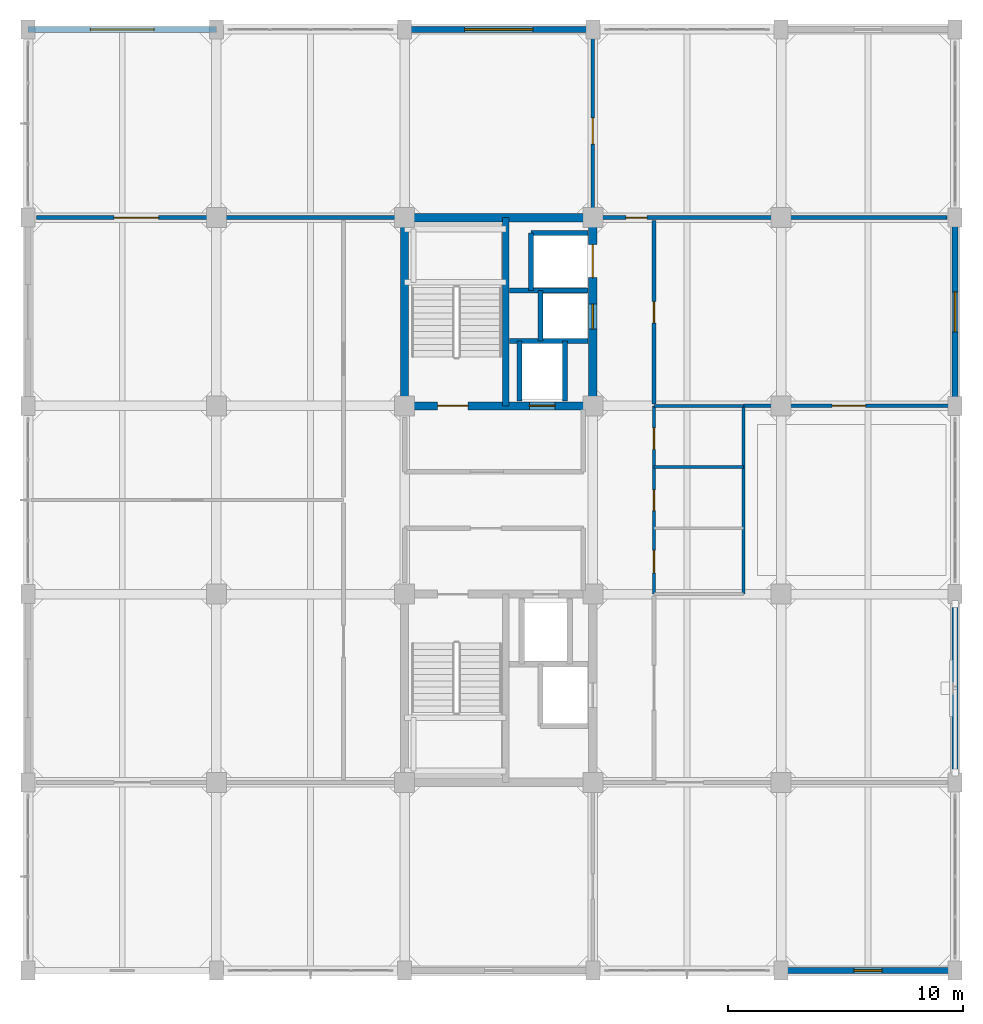
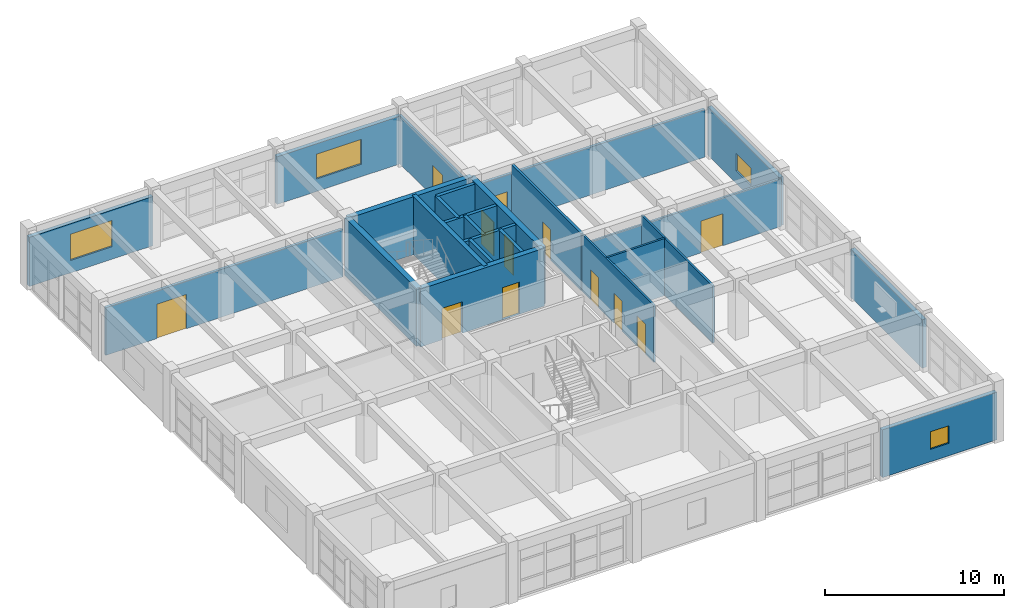
# One storey, part 22 of 27: 26 walls, 12 doors, 4 windows, 16 openings.
"""IFC4 building model written with IfcOpenShell, lengths in metres."""

from ifc_helpers import new_model, si_unit, direction, frame, frame_2d, origin, place, context, subcontext, project, spatial, rectangle, extrude, material, layer, layer_set, type_object, element, fill, save


model = new_model("IFC4")

# Units and contexts
model_context = context("Model", 3, precision=1e-05, world=origin(), true_north=direction((0.0, 1.0)))
body_context = subcontext(model_context, "Body", "Model", "MODEL_VIEW")
ifc_project = project(units=[si_unit("LENGTHUNIT", "METRE"), si_unit("AREAUNIT", "SQUARE_METRE"), si_unit("VOLUMEUNIT", "CUBIC_METRE"), si_unit("PLANEANGLEUNIT", "RADIAN"), si_unit("MASSUNIT", "GRAM", prefix="KILO")], contexts=[model_context])

# Site, building, storey
site_placement = place(None, origin())
site = spatial("IfcSite", under=ifc_project, at=site_placement, CompositionType="ELEMENT")
building_placement = place(site_placement, origin())
building = spatial("IfcBuilding", under=site, at=building_placement, Name="Canggui Botanical Conservatory", CompositionType="ELEMENT")
storey_placement = place(building_placement, frame((0.0, 0.0, 31.800048828125)))
storey = spatial("IfcBuildingStorey", under=building, at=storey_placement, Name="L08", CompositionType="ELEMENT", Elevation=31.800048828125)

# Wall, opening, window
ifc_material_1 = material(Name="Precast Concrete C40", Category="concrete")
ifc_layer_1 = layer(ifc_material_1, 0.260009765625, Name="Precast Concrete C40", Category="concrete")
ifc_layer_set_1 = layer_set([ifc_layer_1], Name="Precast Concrete C40")
wall_type_1 = type_object("IfcWallType", Name="EW-260", PredefinedType="STANDARD", material=ifc_layer_set_1)
wall_1_placement = place(storey_placement, frame((177.39990234375, 34.0, 0.0), z_axis=(0.0, 0.0, 1.0), x_axis=(-1.0, 0.0, 0.0)))
wall_1 = element("IfcWall", 1, at=wall_1_placement, inside=storey, type_object=wall_type_1, Name="Tower Insulated Exterior Wall L08-S1", PredefinedType="STANDARD", context=body_context, shape_type="SweptSolid", body=[
    extrude(rectangle(XDim=7.39990234375, YDim=0.260009765625, at=frame_2d((3.699951171875, 0.0))), origin(), (0.0, 0.0, 1.0), 3.260009765625),
])
opening_1_placement = place(wall_1_placement, frame((3.10009765625, 0.0, 0.85009765625)))
opening_1 = element("IfcOpeningElement", 2, at=opening_1_placement, cuts=wall_1, Name="Opening W-06", PredefinedType="OPENING", context=body_context, shape_type="SweptSolid", body=[
    extrude(rectangle(XDim=1.199951171875, YDim=1.199951171875, at=frame_2d((0.60009765625, 0.60009765625))), frame((0.0, 0.14013671875, 0.0), z_axis=(0.0, -1.0, 0.0), x_axis=(1.0, 0.0, 0.0)), (0.0, 0.0, 1.0), 0.280029296875),
])
ifc_material_2 = material(Name="Low-E Insulated Glass", Category="glass")
window_type_1 = type_object("IfcWindowType", Name="WIN-06", PartitioningType="SINGLE_PANEL", PredefinedType="WINDOW", material=ifc_material_2)
window_1_placement = place(opening_1_placement, origin())
window_1 = element("IfcWindow", 3, at=window_1_placement, inside=storey, type_object=window_type_1, Name="Tower Firefighter Rescue Window L08-1", OverallHeight=1.199951171875, OverallWidth=1.199951171875, PartitioningType="SINGLE_PANEL", PredefinedType="WINDOW", context=body_context, shape_type="SweptSolid", body=[
    extrude(rectangle(XDim=1.199951171875, YDim=1.199951171875, at=frame_2d((0.60009765625, 0.60009765625))), frame((0.0, 0.030029296875, 0.0), z_axis=(0.0, -1.0, 0.0), x_axis=(1.0, 0.0, 0.0)), (0.0, 0.0, 1.0), 0.06005859375),
])
fill(opening_1, window_1)

wall_2_placement = place(storey_placement, frame((138.0, 74.0, 0.0), z_axis=(0.0, 0.0, 1.0), x_axis=(1.0, 0.0, 0.0)))
wall_2 = element("IfcWall", 4, at=wall_2_placement, inside=storey, type_object=wall_type_1, Name="Tower Insulated Exterior Wall L08-N11", PredefinedType="STANDARD", context=body_context, shape_type="SweptSolid", body=[
    extrude(rectangle(XDim=8.0, YDim=0.260009765625, at=frame_2d((4.0, 0.0))), origin(), (0.0, 0.0, 1.0), 3.35986328125),
])
opening_2_placement = place(wall_2_placement, frame((2.64990234375, 0.0, 0.85009765625)))
opening_2 = element("IfcOpeningElement", 5, at=opening_2_placement, cuts=wall_2, Name="Opening W-20", PredefinedType="OPENING", context=body_context, shape_type="SweptSolid", body=[
    extrude(rectangle(XDim=2.699951171875, YDim=1.800048828125, at=frame_2d((1.35009765625, 0.89990234375))), frame((0.0, 0.14013671875, 0.0), z_axis=(0.0, -1.0, 0.0), x_axis=(1.0, 0.0, 0.0)), (0.0, 0.0, 1.0), 0.280029296875),
])
window_type_2 = type_object("IfcWindowType", Name="WIN-20", PartitioningType="TRIPLE_PANEL_VERTICAL", PredefinedType="WINDOW", material=ifc_material_2)
window_2_placement = place(opening_2_placement, origin())
window_2 = element("IfcWindow", 6, at=window_2_placement, inside=storey, type_object=window_type_2, Name="Tower Window L08-11", OverallHeight=1.800048828125, OverallWidth=2.699951171875, PartitioningType="SINGLE_PANEL", PredefinedType="WINDOW", context=body_context, shape_type="SweptSolid", body=[
    extrude(rectangle(XDim=2.699951171875, YDim=1.800048828125, at=frame_2d((1.35009765625, 0.89990234375))), frame((0.0, 0.030029296875, 0.0), z_axis=(0.0, -1.0, 0.0), x_axis=(1.0, 0.0, 0.0)), (0.0, 0.0, 1.0), 0.06005859375),
])
fill(opening_2, window_2)

wall_3_placement = place(storey_placement, frame((154.0, 74.0, 0.0), z_axis=(0.0, 0.0, 1.0), x_axis=(1.0, 0.0, 0.0)))
wall_3 = element("IfcWall", 7, at=wall_3_placement, inside=storey, type_object=wall_type_1, Name="Tower Insulated Exterior Wall L08-N13", PredefinedType="STANDARD", context=body_context, shape_type="SweptSolid", body=[
    extrude(rectangle(XDim=8.0, YDim=0.260009765625, at=frame_2d((4.0, 0.0))), origin(), (0.0, 0.0, 1.0), 3.260009765625),
])
opening_3_placement = place(wall_3_placement, frame((2.550048828125, 0.0, 0.85009765625)))
opening_3 = element("IfcOpeningElement", 8, at=opening_3_placement, cuts=wall_3, Name="Opening W-21", PredefinedType="OPENING", context=body_context, shape_type="SweptSolid", body=[
    extrude(rectangle(XDim=2.89990234375, YDim=1.699951171875, at=frame_2d((1.449951171875, 0.85009765625))), frame((0.0, 0.14013671875, 0.0), z_axis=(0.0, -1.0, 0.0), x_axis=(1.0, 0.0, 0.0)), (0.0, 0.0, 1.0), 0.280029296875),
])
window_type_3 = type_object("IfcWindowType", Name="WIN-21", PartitioningType="TRIPLE_PANEL_VERTICAL", PredefinedType="WINDOW", material=ifc_material_2)
window_3_placement = place(opening_3_placement, origin())
window_3 = element("IfcWindow", 9, at=window_3_placement, inside=storey, type_object=window_type_3, Name="Tower Window L08-13", OverallHeight=1.699951171875, OverallWidth=2.89990234375, PartitioningType="SINGLE_PANEL", PredefinedType="WINDOW", context=body_context, shape_type="SweptSolid", body=[
    extrude(rectangle(XDim=2.89990234375, YDim=1.699951171875, at=frame_2d((1.449951171875, 0.85009765625))), frame((0.0, 0.030029296875, 0.0), z_axis=(0.0, -1.0, 0.0), x_axis=(1.0, 0.0, 0.0)), (0.0, 0.0, 1.0), 0.06005859375),
])
fill(opening_3, window_3)

wall_4_placement = place(storey_placement, frame((177.39990234375, 66.0, 0.0), z_axis=(0.0, 0.0, 1.0), x_axis=(0.0, -1.0, 0.0)))
wall_4 = element("IfcWall", 10, at=wall_4_placement, inside=storey, type_object=wall_type_1, Name="Tower Insulated Exterior Wall L08-E17", PredefinedType="STANDARD", context=body_context, shape_type="SweptSolid", body=[
    extrude(rectangle(XDim=8.0, YDim=0.260009765625, at=frame_2d((4.0, 0.0))), origin(), (0.0, 0.0, 1.0), 3.31005859375),
])
opening_4_placement = place(wall_4_placement, frame((3.14990234375, 0.0, 0.85009765625)))
opening_4 = element("IfcOpeningElement", 11, at=opening_4_placement, cuts=wall_4, Name="Opening W-23", PredefinedType="OPENING", context=body_context, shape_type="SweptSolid", body=[
    extrude(rectangle(XDim=1.699951171875, YDim=1.199951171875, at=frame_2d((0.85009765625, 0.60009765625))), frame((0.0, 0.14013671875, 0.0), z_axis=(0.0, -1.0, 0.0), x_axis=(1.0, 0.0, 0.0)), (0.0, 0.0, 1.0), 0.280029296875),
])
window_type_4 = type_object("IfcWindowType", Name="WIN-23", PartitioningType="SINGLE_PANEL", PredefinedType="WINDOW", material=ifc_material_2)
window_4_placement = place(opening_4_placement, origin())
window_4 = element("IfcWindow", 12, at=window_4_placement, inside=storey, type_object=window_type_4, Name="Tower Window L08-17", OverallHeight=1.199951171875, OverallWidth=1.699951171875, PartitioningType="SINGLE_PANEL", PredefinedType="WINDOW", context=body_context, shape_type="SweptSolid", body=[
    extrude(rectangle(XDim=1.699951171875, YDim=1.199951171875, at=frame_2d((0.85009765625, 0.60009765625))), frame((0.0, 0.030029296875, 0.0), z_axis=(0.0, -1.0, 0.0), x_axis=(1.0, 0.0, 0.0)), (0.0, 0.0, 1.0), 0.06005859375),
])
fill(opening_4, window_4)

# Wall
wall_5_placement = place(storey_placement, frame((177.39990234375, 50.0, 0.0), z_axis=(0.0, 0.0, 1.0), x_axis=(0.0, -1.0, 0.0)))
element("IfcWall", 13, at=wall_5_placement, inside=storey, type_object=wall_type_1, Name="Tower Insulated Exterior Wall L08-E19", PredefinedType="STANDARD", context=body_context, shape_type="SweptSolid", body=[
    extrude(rectangle(XDim=8.0, YDim=0.260009765625, at=frame_2d((4.0, 0.0))), origin(), (0.0, 0.0, 1.0), 3.31005859375),
])

# Wall, opening, door
ifc_material_3 = material(Name="Gypsum Plasterboard Partition")
ifc_layer_2 = layer(ifc_material_3, 0.175048828125, Name="Gypsum Plasterboard Partition")
ifc_layer_set_2 = layer_set([ifc_layer_2], Name="Gypsum Plasterboard Partition")
wall_type_2 = type_object("IfcWallType", Name="IW-CORR-175", PredefinedType="STANDARD", material=ifc_layer_set_2)
wall_6_placement = place(storey_placement, frame((138.35009765625, 66.0, 0.0), z_axis=(0.0, 0.0, 1.0), x_axis=(1.0, 0.0, 0.0)))
wall_6 = element("IfcWall", 14, at=wall_6_placement, inside=storey, type_object=wall_type_2, Name="L08 Botanical Field Specimen Drying Room North Suite Wall", PredefinedType="STANDARD", context=body_context, shape_type="SweptSolid", body=[
    extrude(rectangle(XDim=15.2998046875, YDim=0.175048828125, at=frame_2d((7.64990234375, 0.0))), origin(), (0.0, 0.0, 1.0), 3.260009765625),
])
opening_5_placement = place(wall_6_placement, frame((3.300048828125, 0.0, 0.0)))
opening_5 = element("IfcOpeningElement", 15, at=opening_5_placement, cuts=wall_6, Name="Opening FD-18", PredefinedType="OPENING", context=body_context, shape_type="SweptSolid", body=[
    extrude(rectangle(XDim=1.89990234375, YDim=2.35009765625, at=frame_2d((0.949951171875, 1.175048828125))), frame((0.0, 0.09765625, 0.0), z_axis=(0.0, -1.0, 0.0), x_axis=(1.0, 0.0, 0.0)), (0.0, 0.0, 1.0), 0.195068359375),
])
ifc_material_4 = material(Name="Powder-Coated Steel", Category="steel")
door_type_1 = type_object("IfcDoorType", Name="FD-18", OperationType="NOTDEFINED", PredefinedType="DOOR", material=ifc_material_4)
door_1_placement = place(opening_5_placement, origin())
door_1 = element("IfcDoor", 16, at=door_1_placement, inside=storey, type_object=door_type_1, Name="Interior Door IW-L08-NCOR-1", OperationType="DOUBLE_DOOR_SINGLE_SWING", OverallHeight=2.35009765625, OverallWidth=1.89990234375, PredefinedType="DOOR", context=body_context, shape_type="SweptSolid", body=[
    extrude(rectangle(XDim=1.89990234375, YDim=2.35009765625, at=frame_2d((0.949951171875, 1.175048828125))), frame((0.0, 0.02490234375, 0.0), z_axis=(0.0, -1.0, 0.0), x_axis=(1.0, 0.0, 0.0)), (0.0, 0.0, 1.0), 0.050048828125),
])
fill(opening_5, door_1)

wall_7_placement = place(storey_placement, frame((162.35009765625, 66.0, 0.0), z_axis=(0.0, 0.0, 1.0), x_axis=(1.0, 0.0, 0.0)))
wall_7 = element("IfcWall", 17, at=wall_7_placement, inside=storey, type_object=wall_type_2, Name="L08 Ecology Research Write-Up Studio North Suite Wall", PredefinedType="STANDARD", context=body_context, shape_type="SweptSolid", body=[
    extrude(rectangle(XDim=14.699951171875, YDim=0.175048828125, at=frame_2d((7.35009765625, 0.0))), origin(), (0.0, 0.0, 1.0), 3.260009765625),
])
opening_6_placement = place(wall_7_placement, frame((1.050048828125, 0.0, 0.0)))
opening_6 = element("IfcOpeningElement", 18, at=opening_6_placement, cuts=wall_7, Name="Opening FD-01", PredefinedType="OPENING", context=body_context, shape_type="SweptSolid", body=[
    extrude(rectangle(XDim=0.89990234375, YDim=2.10009765625, at=frame_2d((0.449951171875, 1.050048828125))), frame((0.0, 0.09765625, 0.0), z_axis=(0.0, -1.0, 0.0), x_axis=(1.0, 0.0, 0.0)), (0.0, 0.0, 1.0), 0.195068359375),
])
door_type_2 = type_object("IfcDoorType", Name="FD-01", OperationType="NOTDEFINED", PredefinedType="DOOR", material=ifc_material_4)
door_2_placement = place(opening_6_placement, origin())
door_2 = element("IfcDoor", 19, at=door_2_placement, inside=storey, type_object=door_type_2, Name="Interior Door IW-L08-NCOR-2", OperationType="SINGLE_SWING_LEFT", OverallHeight=2.10009765625, OverallWidth=0.89990234375, PredefinedType="DOOR", context=body_context, shape_type="SweptSolid", body=[
    extrude(rectangle(XDim=0.89990234375, YDim=2.10009765625, at=frame_2d((0.449951171875, 1.050048828125))), frame((0.0, 0.02490234375, 0.0), z_axis=(0.0, -1.0, 0.0), x_axis=(1.0, 0.0, 0.0)), (0.0, 0.0, 1.0), 0.050048828125),
])
fill(opening_6, door_2)

ifc_layer_3 = layer(ifc_material_3, 0.155029296875, Name="Gypsum Plasterboard Partition")
ifc_layer_set_3 = layer_set([ifc_layer_3], Name="Gypsum Plasterboard Partition")
wall_type_3 = type_object("IfcWallType", Name="IW-LAB-155", PredefinedType="STANDARD", material=ifc_layer_set_3)
wall_8_placement = place(storey_placement, frame((164.60009765625, 58.080078125, 0.0), z_axis=(0.0, 0.0, 1.0), x_axis=(0.0, 1.0, 0.0)))
wall_8 = element("IfcWall", 20, at=wall_8_placement, inside=storey, type_object=wall_type_3, Name="L08 Field Sensor Calibration Store Lab Wall", PredefinedType="STANDARD", context=body_context, shape_type="SweptSolid", body=[
    extrude(rectangle(XDim=7.7998046875, YDim=0.155029296875, at=frame_2d((3.89990234375, 0.0))), origin(), (0.0, 0.0, 1.0), 3.89990234375),
])
opening_7_placement = place(wall_8_placement, frame((3.449951171875, 0.0, 0.0)))
opening_7 = element("IfcOpeningElement", 21, at=opening_7_placement, cuts=wall_8, Name="Opening FD-01", PredefinedType="OPENING", context=body_context, shape_type="SweptSolid", body=[
    extrude(rectangle(XDim=0.89990234375, YDim=2.10009765625, at=frame_2d((0.449951171875, 1.050048828125))), frame((0.0, 0.08740234375, 0.0), z_axis=(0.0, -1.0, 0.0), x_axis=(1.0, 0.0, 0.0)), (0.0, 0.0, 1.0), 0.175048828125),
])
door_3_placement = place(opening_7_placement, origin())
door_3 = element("IfcDoor", 22, at=door_3_placement, inside=storey, type_object=door_type_2, Name="Interior Door IW-L08-ECOR-2-1", OperationType="SINGLE_SWING_LEFT", OverallHeight=2.10009765625, OverallWidth=0.89990234375, PredefinedType="DOOR", context=body_context, shape_type="SweptSolid", body=[
    extrude(rectangle(XDim=0.89990234375, YDim=2.10009765625, at=frame_2d((0.449951171875, 1.050048828125))), frame((0.0, 0.02490234375, 0.0), z_axis=(0.0, -1.0, 0.0), x_axis=(1.0, 0.0, 0.0)), (0.0, 0.0, 1.0), 0.050048828125),
])
fill(opening_7, door_3)

ifc_layer_4 = layer(ifc_material_3, 0.139892578125, Name="Gypsum Plasterboard Partition")
ifc_layer_set_4 = layer_set([ifc_layer_4], Name="Gypsum Plasterboard Partition")
wall_type_4 = type_object("IfcWallType", Name="IW-PART-140", PredefinedType="STANDARD", material=ifc_layer_set_4)
wall_9_placement = place(storey_placement, frame((168.39990234375, 58.0, 0.0), z_axis=(0.0, 0.0, 1.0), x_axis=(1.0, 0.0, 0.0)))
wall_9 = element("IfcWall", 23, at=wall_9_placement, inside=storey, type_object=wall_type_4, Name="L08 Urban Biodiversity Research Laboratory Subdivision Wall", PredefinedType="STANDARD", context=body_context, shape_type="SweptSolid", body=[
    extrude(rectangle(XDim=8.960205078125, YDim=0.139892578125, at=frame_2d((4.47998046875, 0.0))), origin(), (0.0, 0.0, 1.0), 3.260009765625),
])
opening_8_placement = place(wall_9_placement, frame((3.77001953125, 0.0, 0.0)))
opening_8 = element("IfcOpeningElement", 24, at=opening_8_placement, cuts=wall_9, Name="Opening ID-12", PredefinedType="OPENING", context=body_context, shape_type="SweptSolid", body=[
    extrude(rectangle(XDim=1.419921875, YDim=2.179931640625, at=frame_2d((0.7099609375, 1.08984375))), frame((0.0, 0.080078125, 0.0), z_axis=(0.0, -1.0, 0.0), x_axis=(1.0, 0.0, 0.0)), (0.0, 0.0, 1.0), 0.159912109375),
])
ifc_material_5 = material(Name="Engineered Timber Veneer", Category="wood")
door_type_3 = type_object("IfcDoorType", Name="ID-12", OperationType="NOTDEFINED", PredefinedType="DOOR", material=ifc_material_5)
door_4_placement = place(opening_8_placement, origin())
door_4 = element("IfcDoor", 25, at=door_4_placement, inside=storey, type_object=door_type_3, Name="Interior Door IW-L08-EDIV-1", OperationType="SINGLE_SWING_RIGHT", OverallHeight=2.179931640625, OverallWidth=1.419921875, PredefinedType="DOOR", context=body_context, shape_type="SweptSolid", body=[
    extrude(rectangle(XDim=1.419921875, YDim=2.179931640625, at=frame_2d((0.7099609375, 1.08984375))), frame((0.0, 0.02490234375, 0.0), z_axis=(0.0, -1.0, 0.0), x_axis=(1.0, 0.0, 0.0)), (0.0, 0.0, 1.0), 0.050048828125),
])
fill(opening_8, door_4)

wall_10_placement = place(storey_placement, frame((162.0, 66.1201171875, 0.0), z_axis=(0.0, 0.0, 1.0), x_axis=(0.0, 1.0, 0.0)))
wall_10 = element("IfcWall", 26, at=wall_10_placement, inside=storey, type_object=wall_type_4, Name="L08 Botanical Field Specimen Drying Room North Cross Wall", PredefinedType="STANDARD", context=body_context, shape_type="SweptSolid", body=[
    extrude(rectangle(XDim=7.829833984375, YDim=0.139892578125, at=frame_2d((3.9150390625, 0.0))), origin(), (0.0, 0.0, 1.0), 3.31005859375),
])
opening_9_placement = place(wall_10_placement, frame((3.0, 0.0, 0.0)))
opening_9 = element("IfcOpeningElement", 27, at=opening_9_placement, cuts=wall_10, Name="Opening ID-06", PredefinedType="OPENING", context=body_context, shape_type="SweptSolid", body=[
    extrude(rectangle(XDim=1.1201171875, YDim=2.1201171875, at=frame_2d((0.56005859375, 1.06005859375))), frame((0.0, 0.080078125, 0.0), z_axis=(0.0, -1.0, 0.0), x_axis=(1.0, 0.0, 0.0)), (0.0, 0.0, 1.0), 0.159912109375),
])
door_type_4 = type_object("IfcDoorType", Name="ID-06", OperationType="NOTDEFINED", PredefinedType="DOOR", material=ifc_material_5)
door_5_placement = place(opening_9_placement, origin())
door_5 = element("IfcDoor", 28, at=door_5_placement, inside=storey, type_object=door_type_4, Name="Interior Door IW-L08-NDIV-1", OperationType="SINGLE_SWING_RIGHT", OverallHeight=2.1201171875, OverallWidth=1.1201171875, PredefinedType="DOOR", context=body_context, shape_type="SweptSolid", body=[
    extrude(rectangle(XDim=1.1201171875, YDim=2.1201171875, at=frame_2d((0.56005859375, 1.06005859375))), frame((0.0, 0.02490234375, 0.0), z_axis=(0.0, -1.0, 0.0), x_axis=(1.0, 0.0, 0.0)), (0.0, 0.0, 1.0), 0.050048828125),
])
fill(opening_9, door_5)

# Walls
ifc_material_6 = material(Name="Concrete C35", Category="concrete")
ifc_layer_5 = layer(ifc_material_6, 0.215087890625, Name="Concrete C35", Category="concrete")
ifc_layer_set_5 = layer_set([ifc_layer_5], Name="Concrete C35")
wall_type_5 = type_object("IfcWallType", Name="IW-SHAFT-215", PredefinedType="STANDARD", material=ifc_layer_set_5)
wall_11_placement = place(storey_placement, frame((158.449951171875, 62.89990234375, 0.0), z_axis=(0.0, 0.0, 1.0), x_axis=(1.0, 0.0, 0.0)))
element("IfcWall", 29, at=wall_11_placement, inside=storey, type_object=wall_type_5, Name="Core T2 Goods Lift Shaft Divider L08", PredefinedType="STANDARD", context=body_context, shape_type="SweptSolid", body=[
    extrude(rectangle(XDim=3.35009765625, YDim=0.215087890625, at=frame_2d((1.675048828125, 0.0))), origin(), (0.0, 0.0, 1.0), 3.89990234375),
])
wall_12_placement = place(storey_placement, frame((160.820068359375, 58.199951171875, 0.0), z_axis=(0.0, 0.0, 1.0), x_axis=(0.0, 1.0, 0.0)))
element("IfcWall", 30, at=wall_12_placement, inside=storey, type_object=wall_type_5, Name="Core T2 Lift Bank Web L08", PredefinedType="STANDARD", context=body_context, shape_type="SweptSolid", body=[
    extrude(rectangle(XDim=2.550048828125, YDim=0.215087890625, at=frame_2d((1.27490234375, 0.0))), origin(), (0.0, 0.0, 1.0), 3.89990234375),
])
wall_13_placement = place(storey_placement, frame((159.3798828125, 62.89990234375, 0.0), z_axis=(0.0, 0.0, 1.0), x_axis=(0.0, 1.0, 0.0)))
element("IfcWall", 31, at=wall_13_placement, inside=storey, type_object=wall_type_5, Name="Core T2 GL-01 West Shaft Wall L08", PredefinedType="STANDARD", context=body_context, shape_type="SweptSolid", body=[
    extrude(rectangle(XDim=2.4501953125, YDim=0.215087890625, at=frame_2d((1.22509765625, 0.0))), origin(), (0.0, 0.0, 1.0), 3.89990234375),
])
wall_14_placement = place(storey_placement, frame((159.3798828125, 65.35009765625, 0.0), z_axis=(0.0, 0.0, 1.0), x_axis=(1.0, 0.0, 0.0)))
element("IfcWall", 32, at=wall_14_placement, inside=storey, type_object=wall_type_5, Name="Core T2 GL-01 North Shaft Wall L08", PredefinedType="STANDARD", context=body_context, shape_type="SweptSolid", body=[
    extrude(rectangle(XDim=2.420166015625, YDim=0.215087890625, at=frame_2d((1.2099609375, 0.0))), origin(), (0.0, 0.0, 1.0), 3.89990234375),
])
wall_15_placement = place(storey_placement, frame((158.449951171875, 60.75, 0.0), z_axis=(0.0, 0.0, 1.0), x_axis=(1.0, 0.0, 0.0)))
element("IfcWall", 33, at=wall_15_placement, inside=storey, type_object=wall_type_5, Name="Core T2 PL-02 South Shaft Wall L08", PredefinedType="STANDARD", context=body_context, shape_type="SweptSolid", body=[
    extrude(rectangle(XDim=3.35009765625, YDim=0.215087890625, at=frame_2d((1.675048828125, 0.0))), origin(), (0.0, 0.0, 1.0), 3.89990234375),
])
wall_16_placement = place(storey_placement, frame((159.780029296875, 60.75, 0.0), z_axis=(0.0, 0.0, 1.0), x_axis=(0.0, 1.0, 0.0)))
element("IfcWall", 34, at=wall_16_placement, inside=storey, type_object=wall_type_5, Name="Core T2 PL-02 West Shaft Wall L08", PredefinedType="STANDARD", context=body_context, shape_type="SweptSolid", body=[
    extrude(rectangle(XDim=2.14990234375, YDim=0.215087890625, at=frame_2d((1.074951171875, 0.0))), origin(), (0.0, 0.0, 1.0), 3.89990234375),
])
wall_17_placement = place(storey_placement, frame((158.8798828125, 58.199951171875, 0.0), z_axis=(0.0, 0.0, 1.0), x_axis=(0.0, 1.0, 0.0)))
element("IfcWall", 35, at=wall_17_placement, inside=storey, type_object=wall_type_5, Name="Core T2 FL-02 West Shaft Wall L08", PredefinedType="STANDARD", context=body_context, shape_type="SweptSolid", body=[
    extrude(rectangle(XDim=2.550048828125, YDim=0.215087890625, at=frame_2d((1.27490234375, 0.0))), origin(), (0.0, 0.0, 1.0), 3.89990234375),
])

# Wall, openings, doors
ifc_layer_6 = layer(ifc_material_3, 0.125, Name="Gypsum Plasterboard Partition")
ifc_layer_set_6 = layer_set([ifc_layer_6], Name="Gypsum Plasterboard Partition")
wall_type_6 = type_object("IfcWallType", Name="IW-WC-125", PredefinedType="STANDARD", material=ifc_layer_set_6)
wall_18_placement = place(storey_placement, frame((164.60009765625, 50.0, 0.0), z_axis=(0.0, 0.0, 1.0), x_axis=(0.0, 1.0, 0.0)))
wall_18 = element("IfcWall", 36, at=wall_18_placement, inside=storey, type_object=wall_type_6, Name="L08 Restroom Block Corridor Wall", PredefinedType="STANDARD", context=body_context, shape_type="SweptSolid", body=[
    extrude(rectangle(XDim=8.0, YDim=0.125, at=frame_2d((4.0, 0.0))), origin(), (0.0, 0.0, 1.0), 3.89990234375),
])
opening_10_placement = place(wall_18_placement, frame((0.89990234375, 0.0, 0.0)))
opening_10 = element("IfcOpeningElement", 37, at=opening_10_placement, cuts=wall_18, Name="Opening ID-03", PredefinedType="OPENING", context=body_context, shape_type="SweptSolid", body=[
    extrude(rectangle(XDim=0.9599609375, YDim=2.080078125, at=frame_2d((0.47998046875, 1.0400390625))), frame((0.0, 0.072509765625, 0.0), z_axis=(0.0, -1.0, 0.0), x_axis=(1.0, 0.0, 0.0)), (0.0, 0.0, 1.0), 0.14501953125),
])
opening_11_placement = place(wall_18_placement, frame((3.550048828125, 0.0, 0.0)))
opening_11 = element("IfcOpeningElement", 38, at=opening_11_placement, cuts=wall_18, Name="Opening ID-01", PredefinedType="OPENING", context=body_context, shape_type="SweptSolid", body=[
    extrude(rectangle(XDim=0.8798828125, YDim=2.050048828125, at=frame_2d((0.43994140625, 1.02490234375))), frame((0.0, 0.072509765625, 0.0), z_axis=(0.0, -1.0, 0.0), x_axis=(1.0, 0.0, 0.0)), (0.0, 0.0, 1.0), 0.14501953125),
])
opening_12_placement = place(wall_18_placement, frame((6.14990234375, 0.0, 0.0)))
opening_12 = element("IfcOpeningElement", 39, at=opening_12_placement, cuts=wall_18, Name="Opening ID-02", PredefinedType="OPENING", context=body_context, shape_type="SweptSolid", body=[
    extrude(rectangle(XDim=0.919921875, YDim=2.050048828125, at=frame_2d((0.4599609375, 1.02490234375))), frame((0.0, 0.072509765625, 0.0), z_axis=(0.0, -1.0, 0.0), x_axis=(1.0, 0.0, 0.0)), (0.0, 0.0, 1.0), 0.14501953125),
])
door_type_5 = type_object("IfcDoorType", Name="ID-01", OperationType="NOTDEFINED", PredefinedType="DOOR", material=ifc_material_5)
door_6_placement = place(opening_11_placement, origin())
door_6 = element("IfcDoor", 40, at=door_6_placement, inside=storey, type_object=door_type_5, Name="L08 Male WC Door", OperationType="SINGLE_SWING_LEFT", OverallHeight=2.050048828125, OverallWidth=0.8798828125, PredefinedType="DOOR", context=body_context, shape_type="SweptSolid", body=[
    extrude(rectangle(XDim=0.8798828125, YDim=2.050048828125, at=frame_2d((0.43994140625, 1.02490234375))), frame((0.0, 0.02490234375, 0.0), z_axis=(0.0, -1.0, 0.0), x_axis=(1.0, 0.0, 0.0)), (0.0, 0.0, 1.0), 0.050048828125),
])
fill(opening_11, door_6)
door_type_6 = type_object("IfcDoorType", Name="ID-02", OperationType="NOTDEFINED", PredefinedType="DOOR", material=ifc_material_5)
door_7_placement = place(opening_12_placement, origin())
door_7 = element("IfcDoor", 41, at=door_7_placement, inside=storey, type_object=door_type_6, Name="L08 Female WC Door", OperationType="SINGLE_SWING_RIGHT", OverallHeight=2.050048828125, OverallWidth=0.919921875, PredefinedType="DOOR", context=body_context, shape_type="SweptSolid", body=[
    extrude(rectangle(XDim=0.919921875, YDim=2.050048828125, at=frame_2d((0.4599609375, 1.02490234375))), frame((0.0, 0.02490234375, 0.0), z_axis=(0.0, -1.0, 0.0), x_axis=(1.0, 0.0, 0.0)), (0.0, 0.0, 1.0), 0.050048828125),
])
fill(opening_12, door_7)
door_type_7 = type_object("IfcDoorType", Name="ID-03", OperationType="NOTDEFINED", PredefinedType="DOOR", material=ifc_material_5)
door_8_placement = place(opening_10_placement, origin())
door_8 = element("IfcDoor", 42, at=door_8_placement, inside=storey, type_object=door_type_7, Name="L08 Accessible WC Door", OperationType="SINGLE_SWING_RIGHT", OverallHeight=2.080078125, OverallWidth=0.9599609375, PredefinedType="DOOR", context=body_context, shape_type="SweptSolid", body=[
    extrude(rectangle(XDim=0.9599609375, YDim=2.080078125, at=frame_2d((0.47998046875, 1.0400390625))), frame((0.0, 0.02490234375, 0.0), z_axis=(0.0, -1.0, 0.0), x_axis=(1.0, 0.0, 0.0)), (0.0, 0.0, 1.0), 0.050048828125),
])
fill(opening_10, door_8)

# Walls
wall_19_placement = place(storey_placement, frame((168.39990234375, 50.0, 0.0), z_axis=(0.0, 0.0, 1.0), x_axis=(0.0, 1.0, 0.0)))
element("IfcWall", 43, at=wall_19_placement, inside=storey, type_object=wall_type_6, Name="L08 Restroom Block Back Wall", PredefinedType="STANDARD", context=body_context, shape_type="SweptSolid", body=[
    extrude(rectangle(XDim=8.0, YDim=0.125, at=frame_2d((4.0, 0.0))), origin(), (0.0, 0.0, 1.0), 3.89990234375),
])
wall_20_placement = place(storey_placement, frame((164.60009765625, 55.39990234375, 0.0), z_axis=(0.0, 0.0, 1.0), x_axis=(1.0, 0.0, 0.0)))
element("IfcWall", 44, at=wall_20_placement, inside=storey, type_object=wall_type_6, Name="L08 Restroom Divider Y55.4", PredefinedType="STANDARD", context=body_context, shape_type="SweptSolid", body=[
    extrude(rectangle(XDim=3.7998046875, YDim=0.125, at=frame_2d((1.89990234375, 0.0))), origin(), (0.0, 0.0, 1.0), 3.89990234375),
])
wall_21_placement = place(storey_placement, frame((164.60009765625, 58.0, 0.0), z_axis=(0.0, 0.0, 1.0), x_axis=(1.0, 0.0, 0.0)))
element("IfcWall", 45, at=wall_21_placement, inside=storey, type_object=wall_type_6, Name="L08 Restroom Divider Y58.0", PredefinedType="STANDARD", context=body_context, shape_type="SweptSolid", body=[
    extrude(rectangle(XDim=3.7998046875, YDim=0.125, at=frame_2d((1.89990234375, 0.0))), origin(), (0.0, 0.0, 1.0), 3.260009765625),
])
ifc_layer_7 = layer(ifc_material_6, 0.280029296875, Name="Concrete C35", Category="concrete")
ifc_layer_set_7 = layer_set([ifc_layer_7], Name="Concrete C35")
wall_type_7 = type_object("IfcWallType", Name="WALL-SH-280-C35", PredefinedType="SHEAR", material=ifc_layer_set_7)
wall_22_placement = place(storey_placement, frame((158.300048828125, 58.0, 0.0), z_axis=(0.0, 0.0, 1.0), x_axis=(0.0, 1.0, 0.0)))
element("IfcWall", 46, at=wall_22_placement, inside=storey, type_object=wall_type_7, Name="Core T2 Internal Shear Web L08", PredefinedType="SHEAR", context=body_context, shape_type="SweptSolid", body=[
    extrude(rectangle(XDim=8.0, YDim=0.280029296875, at=frame_2d((4.0, 0.0))), origin(), (0.0, 0.0, 1.0), 3.949951171875),
])

# Wall, openings, doors
ifc_material_7 = material(Name="Concrete C40", Category="concrete")
ifc_layer_8 = layer(ifc_material_7, 0.35009765625, Name="Concrete C40", Category="concrete")
ifc_layer_set_8 = layer_set([ifc_layer_8], Name="Concrete C40")
wall_type_8 = type_object("IfcWallType", Name="WALL-SH-350-C40", PredefinedType="SHEAR", material=ifc_layer_set_8)
wall_23_placement = place(storey_placement, frame((154.0, 58.0, 0.0), z_axis=(0.0, 0.0, 1.0), x_axis=(1.0, 0.0, 0.0)))
wall_23 = element("IfcWall", 47, at=wall_23_placement, inside=storey, type_object=wall_type_8, Name="Core T2 Shear Wall L08-S", PredefinedType="SHEAR", context=body_context, shape_type="SweptSolid", body=[
    extrude(rectangle(XDim=8.0, YDim=0.35009765625, at=frame_2d((4.0, 0.0))), origin(), (0.0, 0.0, 1.0), 3.949951171875),
])
opening_13_placement = place(wall_23_placement, frame((1.39990234375, 0.0, 0.0)))
opening_13 = element("IfcOpeningElement", 48, at=opening_13_placement, cuts=wall_23, Name="Opening FD-09", PredefinedType="OPENING", context=body_context, shape_type="SweptSolid", body=[
    extrude(rectangle(XDim=1.300048828125, YDim=2.14990234375, at=frame_2d((0.64990234375, 1.074951171875))), frame((0.0, 0.18505859375, 0.0), z_axis=(0.0, -1.0, 0.0), x_axis=(1.0, 0.0, 0.0)), (0.0, 0.0, 1.0), 0.3701171875),
])
opening_14_placement = place(wall_23_placement, frame((5.300048828125, 0.0, 0.0)))
opening_14 = element("IfcOpeningElement", 49, at=opening_14_placement, cuts=wall_23, Name="Opening LD-01", PredefinedType="OPENING", context=body_context, shape_type="SweptSolid", body=[
    extrude(rectangle(XDim=1.10009765625, YDim=2.199951171875, at=frame_2d((0.550048828125, 1.10009765625))), frame((0.0, 0.18505859375, 0.0), z_axis=(0.0, -1.0, 0.0), x_axis=(1.0, 0.0, 0.0)), (0.0, 0.0, 1.0), 0.3701171875),
])
door_type_8 = type_object("IfcDoorType", Name="FD-09", OperationType="NOTDEFINED", PredefinedType="DOOR", material=ifc_material_4)
door_9_placement = place(opening_13_placement, origin())
door_9 = element("IfcDoor", 50, at=door_9_placement, inside=storey, type_object=door_type_8, Name="Tower North Smoke-Proof Stair Door L08", OperationType="SINGLE_SWING_RIGHT", OverallHeight=2.14990234375, OverallWidth=1.300048828125, PredefinedType="DOOR", context=body_context, shape_type="SweptSolid", body=[
    extrude(rectangle(XDim=1.300048828125, YDim=2.14990234375, at=frame_2d((0.64990234375, 1.074951171875))), frame((0.0, 0.02490234375, 0.0), z_axis=(0.0, -1.0, 0.0), x_axis=(1.0, 0.0, 0.0)), (0.0, 0.0, 1.0), 0.050048828125),
])
fill(opening_13, door_9)
ifc_material_8 = material(Name="Stainless Steel 304", Category="steel")
door_type_9 = type_object("IfcDoorType", Name="LDR-01", OperationType="NOTDEFINED", PredefinedType="DOOR", material=ifc_material_8)
door_10_placement = place(opening_14_placement, origin())
door_10 = element("IfcDoor", 51, at=door_10_placement, inside=storey, type_object=door_type_9, Name="Firefighting Lift FL-02 Landing Door L08", OperationType="SLIDING_TO_RIGHT", OverallHeight=2.199951171875, OverallWidth=1.10009765625, PredefinedType="DOOR", context=body_context, shape_type="SweptSolid", body=[
    extrude(rectangle(XDim=1.10009765625, YDim=2.199951171875, at=frame_2d((0.550048828125, 1.10009765625))), frame((0.0, 0.02490234375, 0.0), z_axis=(0.0, -1.0, 0.0), x_axis=(1.0, 0.0, 0.0)), (0.0, 0.0, 1.0), 0.050048828125),
])
fill(opening_14, door_10)

wall_24_placement = place(storey_placement, frame((162.0, 58.0, 0.0), z_axis=(0.0, 0.0, 1.0), x_axis=(0.0, 1.0, 0.0)))
wall_24 = element("IfcWall", 52, at=wall_24_placement, inside=storey, type_object=wall_type_8, Name="Core T2 Shear Wall L08-E", PredefinedType="SHEAR", context=body_context, shape_type="SweptSolid", body=[
    extrude(rectangle(XDim=8.0, YDim=0.35009765625, at=frame_2d((4.0, 0.0))), origin(), (0.0, 0.0, 1.0), 3.949951171875),
])
opening_15_placement = place(wall_24_placement, frame((3.27490234375, 0.0, 0.0)))
opening_15 = element("IfcOpeningElement", 53, at=opening_15_placement, cuts=wall_24, Name="Opening LD-02", PredefinedType="OPENING", context=body_context, shape_type="SweptSolid", body=[
    extrude(rectangle(XDim=1.050048828125, YDim=2.199951171875, at=frame_2d((0.52490234375, 1.10009765625))), frame((0.0, 0.18505859375, 0.0), z_axis=(0.0, -1.0, 0.0), x_axis=(1.0, 0.0, 0.0)), (0.0, 0.0, 1.0), 0.3701171875),
])
opening_16_placement = place(wall_24_placement, frame((5.449951171875, 0.0, 0.0)))
opening_16 = element("IfcOpeningElement", 54, at=opening_16_placement, cuts=wall_24, Name="Opening LD-03", PredefinedType="OPENING", context=body_context, shape_type="SweptSolid", body=[
    extrude(rectangle(XDim=1.39990234375, YDim=2.300048828125, at=frame_2d((0.699951171875, 1.14990234375))), frame((0.0, 0.18505859375, 0.0), z_axis=(0.0, -1.0, 0.0), x_axis=(1.0, 0.0, 0.0)), (0.0, 0.0, 1.0), 0.3701171875),
])
door_type_10 = type_object("IfcDoorType", Name="LDR-02", OperationType="NOTDEFINED", PredefinedType="DOOR", material=ifc_material_8)
door_11_placement = place(opening_15_placement, origin())
door_11 = element("IfcDoor", 55, at=door_11_placement, inside=storey, type_object=door_type_10, Name="Passenger Lift PL-02 Landing Door L08", OperationType="SLIDING_TO_RIGHT", OverallHeight=2.199951171875, OverallWidth=1.050048828125, PredefinedType="DOOR", context=body_context, shape_type="SweptSolid", body=[
    extrude(rectangle(XDim=1.050048828125, YDim=2.199951171875, at=frame_2d((0.52490234375, 1.10009765625))), frame((0.0, 0.02490234375, 0.0), z_axis=(0.0, -1.0, 0.0), x_axis=(1.0, 0.0, 0.0)), (0.0, 0.0, 1.0), 0.050048828125),
])
fill(opening_15, door_11)
door_type_11 = type_object("IfcDoorType", Name="LDR-03", OperationType="NOTDEFINED", PredefinedType="DOOR", material=ifc_material_8)
door_12_placement = place(opening_16_placement, origin())
door_12 = element("IfcDoor", 56, at=door_12_placement, inside=storey, type_object=door_type_11, Name="Herbarium Goods Lift GL-01 Landing Door L08", OperationType="DOUBLE_DOOR_SLIDING", OverallHeight=2.300048828125, OverallWidth=1.39990234375, PredefinedType="DOOR", context=body_context, shape_type="SweptSolid", body=[
    extrude(rectangle(XDim=1.39990234375, YDim=2.300048828125, at=frame_2d((0.699951171875, 1.14990234375))), frame((0.0, 0.02490234375, 0.0), z_axis=(0.0, -1.0, 0.0), x_axis=(1.0, 0.0, 0.0)), (0.0, 0.0, 1.0), 0.050048828125),
])
fill(opening_16, door_12)

# Walls
for number, where, z_axis, x_axis, name in (
    (57, (162.0, 66.0, 0.0), (0.0, 0.0, 1.0), (-1.0, 0.0, 0.0), "Core T2 Shear Wall L08-N"),
    (58, (154.0, 66.0, 0.0), (0.0, 0.0, 1.0), (0.0, -1.0, 0.0), "Core T2 Shear Wall L08-W"),
):
    element("IfcWall", number, at=place(storey_placement, frame(where, z_axis=z_axis, x_axis=x_axis)), inside=storey, type_object=wall_type_8, Name=name, PredefinedType="SHEAR", context=body_context, shape_type="SweptSolid", body=[
        extrude(rectangle(XDim=8.0, YDim=0.35009765625, at=frame_2d((4.0, 0.0))), origin(), (0.0, 0.0, 1.0), 3.949951171875),
    ])

save(model, "model.ifc")
